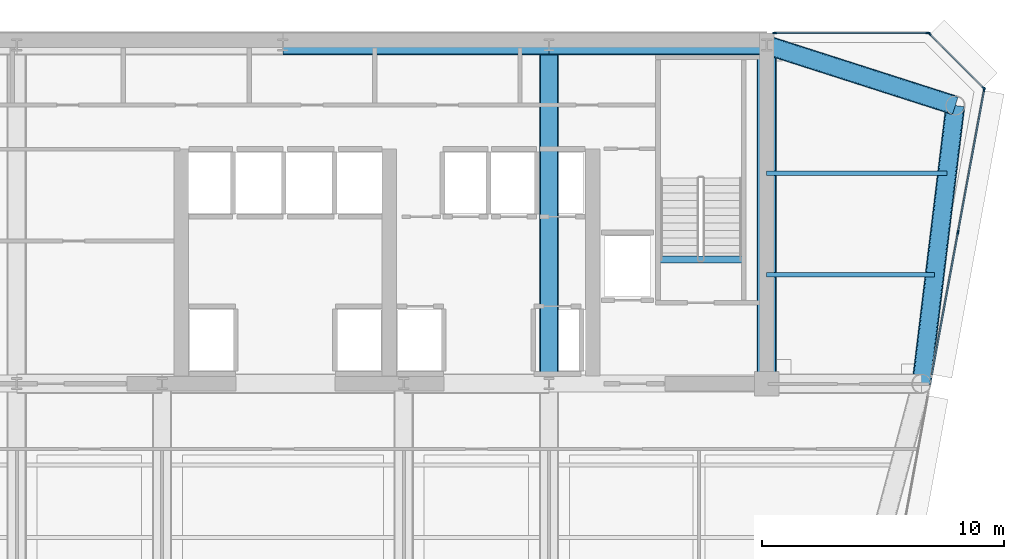
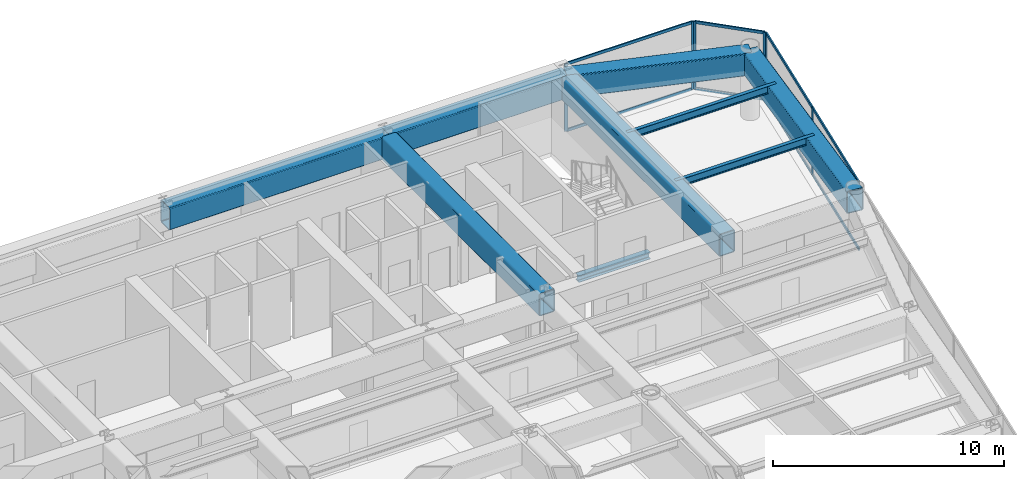
# One storey, part 8 of 16: 14 members, 9 beams, 3 elements without a shape of their own.
"""IFC4 building model written with IfcOpenShell, lengths in metres."""

from ifc_helpers import new_model, si_unit, direction, frame, origin, origin_2d, place, context, subcontext, project, spatial, rectangle, hollow_rectangle, i_section, extrude, source, transform, mapped, material, layer, layer_set, material_profile, profile_set, type_object, element, aggregate, save


model = new_model("IFC4")

# Units and contexts
model_context = context("Model", 3, precision=1e-05, world=origin(), true_north=direction((0.0, 1.0)))
body_context = subcontext(model_context, "Body", "Model", "MODEL_VIEW")
ifc_project = project(units=[si_unit("LENGTHUNIT", "METRE"), si_unit("AREAUNIT", "SQUARE_METRE"), si_unit("VOLUMEUNIT", "CUBIC_METRE"), si_unit("PLANEANGLEUNIT", "RADIAN"), si_unit("MASSUNIT", "GRAM", prefix="KILO")], contexts=[model_context])

# Site, building, storey
site_placement = place(None, origin())
site = spatial("IfcSite", under=ifc_project, at=site_placement, CompositionType="ELEMENT")
building_placement = place(site_placement, origin())
building = spatial("IfcBuilding", under=site, at=building_placement, Name="Vaeldorn Concourse Tower", CompositionType="ELEMENT")
storey_placement = place(building_placement, frame((0.0, 0.0, 203.199951171875)))
storey = spatial("IfcBuildingStorey", under=building, at=storey_placement, Name="L52", CompositionType="ELEMENT", Elevation=203.199951171875)

# Beams
ifc_material_1 = material(Name="Steel S355", Category="steel")
ifc_material_profile_1 = material_profile(ifc_material_1, i_section(OverallWidth=0.300048828125, OverallDepth=0.340087890625, WebThickness=0.011962890625, FlangeThickness=0.021484375, FilletRadius=0.027099609375, at=origin_2d()), Name="HEB 340")
ifc_profile_set_1 = profile_set([ifc_material_profile_1], Name="Steel S355")
beam_type_1 = type_object("IfcBeamType", Name="BM-ST-TRIM", PredefinedType="BEAM", material=ifc_profile_set_1)
shared_shape_1 = source(origin(), body_context, "Body", "SweptSolid", [
    extrude(i_section(OverallWidth=0.300048828125, OverallDepth=0.340087890625, WebThickness=0.011962890625, FlangeThickness=0.021484375, FilletRadius=0.027099609375, at=origin_2d()), origin(), (0.0, 0.0, 1.0), 3.590087890625),
])
beam_1_placement = place(storey_placement, frame((49.47998046875, 41.639892578125, -0.389892578125), z_axis=(1.0, 0.0, 0.0), x_axis=(0.0, 1.0, 0.0)))
element("IfcBeam", 1, at=beam_1_placement, inside=storey, type_object=beam_type_1, Name="Stair Landing Trimmer Beam ST-2 L52", PredefinedType="BEAM", context=body_context, shape_type="MappedRepresentation", body=[
    mapped(shared_shape_1, transform((0.0, 0.0, 0.0), scale=1.0)),
])
ifc_material_2 = material(Name="Steel S460", Category="steel")
ifc_material_profile_2 = material_profile(ifc_material_2, hollow_rectangle(XDim=0.800048828125, YDim=1.199951171875, WallThickness=0.044921875, InnerFilletRadius=0.044921875, OuterFilletRadius=0.090087890625, at=origin_2d()), Name="RHS 1200x800x45")
ifc_profile_set_2 = profile_set([ifc_material_profile_2], Name="Steel S460")
beam_type_2 = type_object("IfcBeamType", Name="BM-TG-RHS1200", PredefinedType="BEAM", material=ifc_profile_set_2)
shared_shape_2 = source(origin(), body_context, "Body", "SweptSolid", [
    extrude(hollow_rectangle(XDim=0.800048828125, YDim=1.199951171875, WallThickness=0.044921875, InnerFilletRadius=0.044921875, OuterFilletRadius=0.090087890625, at=origin_2d()), origin(), (0.0, 0.0, 1.0), 9.0),
])
beam_2_placement = place(storey_placement, frame((45.0, 50.5, 2.97998046875), z_axis=(1.0, 0.0, 0.0), x_axis=(0.0, 1.0, 0.0)))
element("IfcBeam", 2, at=beam_2_placement, inside=storey, type_object=beam_type_2, Name="Beam BM-L52-C-HC4-C-HC5", PredefinedType="BEAM", context=body_context, shape_type="MappedRepresentation", body=[
    mapped(shared_shape_2, transform((0.0, 0.0, 0.0), scale=1.0)),
])
shared_shape_3 = source(origin(), body_context, "Body", "SweptSolid", [
    extrude(hollow_rectangle(XDim=0.800048828125, YDim=1.199951171875, WallThickness=0.044921875, InnerFilletRadius=0.044921875, OuterFilletRadius=0.090087890625, at=origin_2d()), origin(), (0.0, 0.0, 1.0), 11.0),
])
beam_3_placement = place(storey_placement, frame((34.0, 50.5, 2.97998046875), z_axis=(1.0, 0.0, 0.0), x_axis=(0.0, 1.0, 0.0)))
element("IfcBeam", 3, at=beam_3_placement, inside=storey, type_object=beam_type_2, Name="Beam BM-L52-C-HC3-C-HC4", PredefinedType="BEAM", context=body_context, shape_type="MappedRepresentation", body=[
    mapped(shared_shape_3, transform((0.0, 0.0, 0.0), scale=1.0)),
])
shared_shape_4 = source(origin(), body_context, "Body", "SweptSolid", [
    extrude(hollow_rectangle(XDim=0.800048828125, YDim=1.199951171875, WallThickness=0.044921875, InnerFilletRadius=0.044921875, OuterFilletRadius=0.090087890625, at=origin_2d()), origin(), (0.0, 0.0, 1.0), 14.0),
])
for number, where, z_axis, x_axis, name in (
    (4, (45.0, 36.5, 2.97998046875), (0.0, 1.0, 0.0), (-1.0, 0.0, 0.0), "Beam BM-L52-C-FC5-C-HC4"),
    (5, (54.0, 36.5, 2.97998046875), (0.0, 1.0, 0.0), (-1.0, 0.0, 0.0), "Beam BM-L52-C-FC6-C-HC5"),
):
    element("IfcBeam", number, at=place(storey_placement, frame(where, z_axis=z_axis, x_axis=x_axis)), inside=storey, type_object=beam_type_2, Name=name, PredefinedType="BEAM", context=body_context, shape_type="MappedRepresentation", body=[
        mapped(shared_shape_4, transform((0.0, 0.0, 0.0), scale=1.0)),
    ])
shared_shape_5 = source(origin(), body_context, "Body", "SweptSolid", [
    extrude(hollow_rectangle(XDim=0.800048828125, YDim=1.199951171875, WallThickness=0.044921875, InnerFilletRadius=0.044921875, OuterFilletRadius=0.090087890625, at=origin_2d()), origin(), (0.0, 0.0, 1.0), 8.19091796875),
])
beam_4_placement = place(storey_placement, frame((54.0, 50.5, 2.97998046875), z_axis=(0.952282843383, -0.305216949396, 0.0), x_axis=(0.305216949396, 0.952282843383, 0.0)))
element("IfcBeam", 6, at=beam_4_placement, inside=storey, type_object=beam_type_2, Name="Beam BM-L52-C-HC5-C-NE1", PredefinedType="BEAM", context=body_context, shape_type="MappedRepresentation", body=[
    mapped(shared_shape_5, transform((0.0, 0.0, 0.0), scale=1.0)),
])
shared_shape_6 = source(origin(), body_context, "Body", "SweptSolid", [
    extrude(hollow_rectangle(XDim=0.800048828125, YDim=1.199951171875, WallThickness=0.044921875, InnerFilletRadius=0.044921875, OuterFilletRadius=0.090087890625, at=origin_2d()), origin(), (0.0, 0.0, 1.0), 11.5849609375),
])
beam_5_placement = place(storey_placement, frame((61.800048828125, 48.0, 2.97998046875), z_axis=(-0.120859382899, -0.992669637677, 0.0), x_axis=(0.992669637677, -0.120859382899, 0.0)))
element("IfcBeam", 7, at=beam_5_placement, inside=storey, type_object=beam_type_2, Name="Beam BM-L52-C-NE1-C-NE2", PredefinedType="BEAM", context=body_context, shape_type="MappedRepresentation", body=[
    mapped(shared_shape_6, transform((0.0, 0.0, 0.0), scale=1.0)),
])
ifc_material_profile_3 = material_profile(ifc_material_1, i_section(OverallWidth=0.179931640625, OverallDepth=0.39990234375, WebThickness=0.008544921875, FlangeThickness=0.013427734375, FilletRadius=0.02099609375, at=origin_2d()), Name="IPE 400")
ifc_profile_set_3 = profile_set([ifc_material_profile_3], Name="Steel S355")
beam_type_3 = type_object("IfcBeamType", Name="BM-JS-IPE400", PredefinedType="JOIST", material=ifc_profile_set_3)
shared_shape_7 = source(origin(), body_context, "Body", "SweptSolid", [
    extrude(i_section(OverallWidth=0.179931640625, OverallDepth=0.39990234375, WebThickness=0.008544921875, FlangeThickness=0.013427734375, FilletRadius=0.02099609375, at=origin_2d()), origin(), (0.0, 0.0, 1.0), 6.94775390625),
])
beam_6_placement = place(storey_placement, frame((54.0, 41.0, 3.380126953125), z_axis=(1.0, 0.0, 0.0), x_axis=(0.0, 1.0, 0.0)))
element("IfcBeam", 8, at=beam_6_placement, inside=storey, type_object=beam_type_3, Name="Beam JS-L52-NE-410", PredefinedType="JOIST", context=body_context, shape_type="MappedRepresentation", body=[
    mapped(shared_shape_7, transform((0.0, 0.0, 0.0), scale=1.0)),
])
shared_shape_8 = source(origin(), body_context, "Body", "SweptSolid", [
    extrude(i_section(OverallWidth=0.179931640625, OverallDepth=0.39990234375, WebThickness=0.008544921875, FlangeThickness=0.013427734375, FilletRadius=0.02099609375, at=origin_2d()), origin(), (0.0, 0.0, 1.0), 7.458984375),
])
beam_7_placement = place(storey_placement, frame((54.0, 45.199951171875, 3.380126953125), z_axis=(1.0, 0.0, 0.0), x_axis=(0.0, 1.0, 0.0)))
element("IfcBeam", 9, at=beam_7_placement, inside=storey, type_object=beam_type_3, Name="Beam JS-L52-NE-452", PredefinedType="JOIST", context=body_context, shape_type="MappedRepresentation", body=[
    mapped(shared_shape_8, transform((0.0, 0.0, 0.0), scale=1.0)),
])

# Curtain wall, members
ifc_material_3 = material(Name="Anodised Bronze Aluminium", Category="aluminium")
ifc_layer = layer(ifc_material_3, 0.18994140625)
ifc_layer_set = layer_set([ifc_layer], Name="Anodised Bronze Aluminium")
curtain_wall_type = type_object("IfcCurtainWallType", Name="CW-SYS-03", PredefinedType="NOTDEFINED", material=ifc_layer_set)
curtain_wall_1_placement = place(storey_placement, origin())
curtain_wall_1 = element("IfcCurtainWall", 10, at=curtain_wall_1_placement, inside=storey, type_object=curtain_wall_type, Name="Unitised Curtain Wall CW-L52-E08-1", PredefinedType="NOTDEFINED")
ifc_material_profile_4 = material_profile(ifc_material_3, rectangle(XDim=0.06494140625, YDim=0.14990234375, at=origin_2d()), Name="CWT 65x150")
ifc_profile_set_4 = profile_set([ifc_material_profile_4], Name="Anodised Bronze Aluminium")
member_type_1 = type_object("IfcMemberType", Name="CWT-BRONZE-150", PredefinedType="USERDEFINED", material=ifc_profile_set_4)
shared_shape_9 = source(origin(), body_context, "Body", "SweptSolid", [
    extrude(rectangle(XDim=0.06494140625, YDim=0.14990234375, at=origin_2d()), origin(), (0.0, 0.0, 1.0), 3.123046875),
])
member_1_placement = place(storey_placement, frame((62.9541015625, 48.745849609375, 0.032470703125), z_axis=(-0.707106781187, 0.707106781187, 0.0), x_axis=(-0.707106781187, -0.707106781187, 0.0)))
member_1 = element("IfcMember", 11, at=member_1_placement, type_object=member_type_1, Name="CW-03 transom 1.1", ObjectType="TRANSOM", PredefinedType="USERDEFINED", context=body_context, shape_type="MappedRepresentation", body=[
    mapped(shared_shape_9, transform((0.0, 0.0, 0.0), scale=1.0)),
])
member_2_placement = place(storey_placement, frame((62.9541015625, 48.745849609375, 3.547607421875), z_axis=(-0.707106781187, 0.707106781187, 0.0), x_axis=(-0.707106781187, -0.707106781187, 0.0)))
member_2 = element("IfcMember", 12, at=member_2_placement, type_object=member_type_1, Name="CW-03 transom 1.2", ObjectType="TRANSOM", PredefinedType="USERDEFINED", context=body_context, shape_type="MappedRepresentation", body=[
    mapped(shared_shape_9, transform((0.0, 0.0, 0.0), scale=1.0)),
])

curtain_wall_2_placement = place(storey_placement, origin())
curtain_wall_2 = element("IfcCurtainWall", 13, at=curtain_wall_2_placement, inside=storey, type_object=curtain_wall_type, Name="Unitised Curtain Wall CW-L52-E07-2", PredefinedType="NOTDEFINED")
ifc_material_profile_5 = material_profile(ifc_material_3, rectangle(XDim=0.06494140625, YDim=0.169921875, at=origin_2d()), Name="CWM 65x170")
ifc_profile_set_5 = profile_set([ifc_material_profile_5], Name="Anodised Bronze Aluminium")
member_type_2 = type_object("IfcMemberType", Name="CWM-BRONZE-170", PredefinedType="MULLION", material=ifc_profile_set_5)
shared_shape_10 = source(origin(), body_context, "Body", "SweptSolid", [
    extrude(rectangle(XDim=0.06494140625, YDim=0.169921875, at=origin_2d()), origin(), (0.0, 0.0, 1.0), 3.580078125),
])
member_3_placement = place(storey_placement, frame((61.908203125, 42.753662109375, 0.0), z_axis=(0.0, 0.0, 1.0), x_axis=(-0.983559459619, 0.180584576845, 0.0)))
member_3 = element("IfcMember", 14, at=member_3_placement, type_object=member_type_2, Name="CW-03 mullion 2", PredefinedType="MULLION", context=body_context, shape_type="MappedRepresentation", body=[
    mapped(shared_shape_10, transform((0.0, 0.0, 0.0), scale=1.0)),
])
member_4_placement = place(storey_placement, frame((62.994140625, 48.66796875, 0.0), z_axis=(0.0, 0.0, 1.0), x_axis=(-0.983559459619, 0.180584576845, 0.0)))
member_4 = element("IfcMember", 15, at=member_4_placement, type_object=member_type_2, Name="CW-03 mullion 3", PredefinedType="MULLION", context=body_context, shape_type="MappedRepresentation", body=[
    mapped(shared_shape_10, transform((0.0, 0.0, 0.0), scale=1.0)),
])

# Member
member_5_placement = place(storey_placement, frame((62.97705078125, 48.722900390625, 0.0), z_axis=(0.0, 0.0, 1.0), x_axis=(-0.707106781187, -0.707106781187, 0.0)))
member_5 = element("IfcMember", 16, at=member_5_placement, type_object=member_type_2, Name="CW-03 mullion 1", PredefinedType="MULLION", context=body_context, shape_type="MappedRepresentation", body=[
    mapped(shared_shape_10, transform((0.0, 0.0, 0.0), scale=1.0)),
])

member_6_placement = place(storey_placement, frame((60.722900390625, 50.97705078125, 0.0), z_axis=(0.0, 0.0, 1.0), x_axis=(-0.707106781187, -0.707106781187, 0.0)))
member_6 = element("IfcMember", 17, at=member_6_placement, type_object=member_type_2, Name="CW-03 mullion 2", PredefinedType="MULLION", context=body_context, shape_type="MappedRepresentation", body=[
    mapped(shared_shape_10, transform((0.0, 0.0, 0.0), scale=1.0)),
])

aggregate(curtain_wall_1, [member_5, member_6, member_1, member_2])

# Curtain wall, members
curtain_wall_3_placement = place(storey_placement, origin())
curtain_wall_3 = element("IfcCurtainWall", 18, at=curtain_wall_3_placement, inside=storey, type_object=curtain_wall_type, Name="Unitised Curtain Wall CW-L52-E09-1", PredefinedType="NOTDEFINED")
member_7_placement = place(storey_placement, frame((60.66748046875, 51.0, 0.0), z_axis=(0.0, 0.0, 1.0), x_axis=(0.0, -1.0, 0.0)))
member_7 = element("IfcMember", 19, at=member_7_placement, type_object=member_type_2, Name="CW-03 mullion 1", PredefinedType="MULLION", context=body_context, shape_type="MappedRepresentation", body=[
    mapped(shared_shape_10, transform((0.0, 0.0, 0.0), scale=1.0)),
])
member_8_placement = place(storey_placement, frame((54.327392578125, 51.0, 0.0), z_axis=(0.0, 0.0, 1.0), x_axis=(0.0, -1.0, 0.0)))
member_8 = element("IfcMember", 20, at=member_8_placement, type_object=member_type_2, Name="CW-03 mullion 2", PredefinedType="MULLION", context=body_context, shape_type="MappedRepresentation", body=[
    mapped(shared_shape_10, transform((0.0, 0.0, 0.0), scale=1.0)),
])
shared_shape_11 = source(origin(), body_context, "Body", "SweptSolid", [
    extrude(rectangle(XDim=0.06494140625, YDim=0.14990234375, at=origin_2d()), origin(), (0.0, 0.0, 1.0), 6.27490234375),
])
member_9_placement = place(storey_placement, frame((60.635009765625, 51.0, 0.032470703125), z_axis=(-1.0, 0.0, 0.0), x_axis=(0.0, -1.0, 0.0)))
member_9 = element("IfcMember", 21, at=member_9_placement, type_object=member_type_1, Name="CW-03 transom 1.1", ObjectType="TRANSOM", PredefinedType="USERDEFINED", context=body_context, shape_type="MappedRepresentation", body=[
    mapped(shared_shape_11, transform((0.0, 0.0, 0.0), scale=1.0)),
])
member_10_placement = place(storey_placement, frame((60.635009765625, 51.0, 3.547607421875), z_axis=(-1.0, 0.0, 0.0), x_axis=(0.0, -1.0, 0.0)))
member_10 = element("IfcMember", 22, at=member_10_placement, type_object=member_type_1, Name="CW-03 transom 1.2", ObjectType="TRANSOM", PredefinedType="USERDEFINED", context=body_context, shape_type="MappedRepresentation", body=[
    mapped(shared_shape_11, transform((0.0, 0.0, 0.0), scale=1.0)),
])
aggregate(curtain_wall_3, [member_7, member_8, member_9, member_10])

# Member
shared_shape_12 = source(origin(), body_context, "Body", "SweptSolid", [
    extrude(rectangle(XDim=0.06494140625, YDim=0.14990234375, at=origin_2d()), origin(), (0.0, 0.0, 1.0), 5.9482421875),
])
member_11_placement = place(storey_placement, frame((60.828125, 36.871337890625, 0.032470703125), z_axis=(0.180597229094, 0.983557136542, 0.0), x_axis=(-0.983557136542, 0.180597229094, 0.0)))
member_11 = element("IfcMember", 23, at=member_11_placement, type_object=member_type_1, Name="CW-03 transom 1.1", ObjectType="TRANSOM", PredefinedType="USERDEFINED", context=body_context, shape_type="MappedRepresentation", body=[
    mapped(shared_shape_12, transform((0.0, 0.0, 0.0), scale=1.0)),
])

member_12_placement = place(storey_placement, frame((60.828125, 36.871337890625, 3.547607421875), z_axis=(0.180597229094, 0.983557136542, 0.0), x_axis=(-0.983557136542, 0.180597229094, 0.0)))
member_12 = element("IfcMember", 24, at=member_12_placement, type_object=member_type_1, Name="CW-03 transom 1.2", ObjectType="TRANSOM", PredefinedType="USERDEFINED", context=body_context, shape_type="MappedRepresentation", body=[
    mapped(shared_shape_12, transform((0.0, 0.0, 0.0), scale=1.0)),
])

member_13_placement = place(storey_placement, frame((61.9140625, 42.78564453125, 0.032470703125), z_axis=(0.180597229094, 0.983557136542, 0.0), x_axis=(-0.983557136542, 0.180597229094, 0.0)))
member_13 = element("IfcMember", 25, at=member_13_placement, type_object=member_type_1, Name="CW-03 transom 2.1", ObjectType="TRANSOM", PredefinedType="USERDEFINED", context=body_context, shape_type="MappedRepresentation", body=[
    mapped(shared_shape_12, transform((0.0, 0.0, 0.0), scale=1.0)),
])

member_14_placement = place(storey_placement, frame((61.9140625, 42.78564453125, 3.547607421875), z_axis=(0.180597229094, 0.983557136542, 0.0), x_axis=(-0.983557136542, 0.180597229094, 0.0)))
member_14 = element("IfcMember", 26, at=member_14_placement, type_object=member_type_1, Name="CW-03 transom 2.2", ObjectType="TRANSOM", PredefinedType="USERDEFINED", context=body_context, shape_type="MappedRepresentation", body=[
    mapped(shared_shape_12, transform((0.0, 0.0, 0.0), scale=1.0)),
])

aggregate(curtain_wall_2, [member_3, member_4, member_11, member_12, member_13, member_14])

save(model, "model.ifc")
